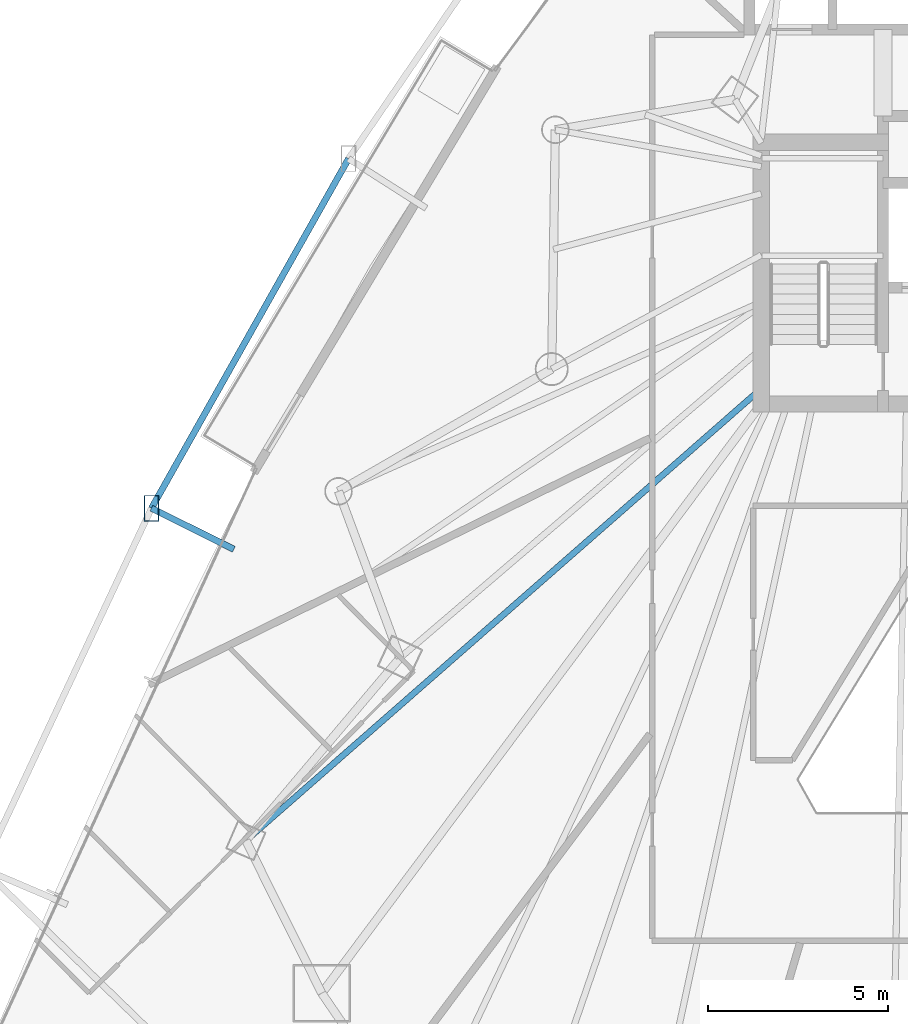
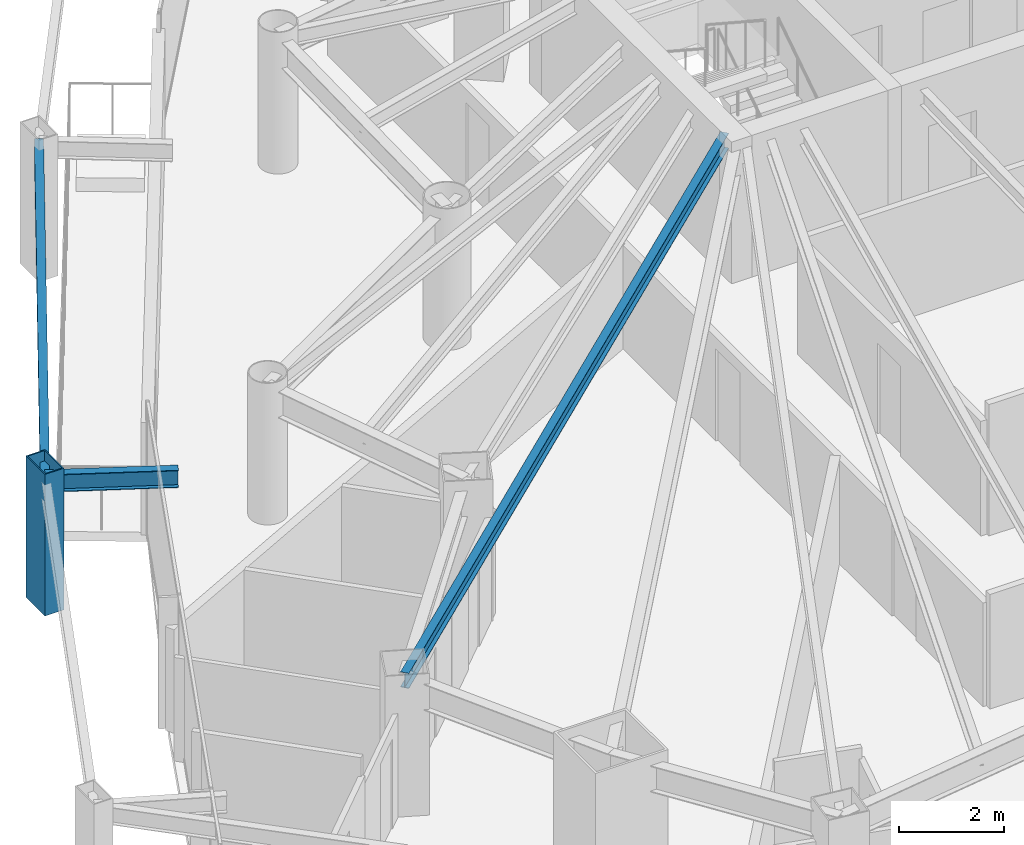
# One storey, part 9 of 35: 3 beams, 1 member.
"""IFC4 building model written with IfcOpenShell, lengths in metres."""

import ifcopenshell
import ifcopenshell.guid

model = None  # the IFC model being written
_history = None  # IfcOwnerHistory: only IFC2X3 demands one
_inside = {}  # id of a spatial element -> (the spatial element, [elements in it])
_under = {}  # id of a project, library or spatial element -> (it, [spatial elements below it])
_declared = {}  # id of a project -> (the project, [libraries it declares])
_typed = {}  # id of a type object -> (the type object, [elements of that type])
_made_of = {}  # id of a material, layer set ... -> (it, [elements and type objects made of it])


def new_model(schema):
    """Start an empty IFC model of exactly this schema.

    Asked for "IFC4X3", IfcOpenShell would pick the latest addendum, in which some entities
    have other attributes; the version numbers below select the first issue.
    IFC2X3 requires an IfcOwnerHistory on every rooted entity: one is made here for all.
    """
    global model, _history
    if schema == "IFC4X3":
        model = ifcopenshell.file(schema_version=(4, 3, 0, 0))
    else:
        model = ifcopenshell.file(schema=schema)
    _inside.clear()
    _under.clear()
    _declared.clear()
    _typed.clear()
    _made_of.clear()
    _history = None
    if model.schema == "IFC2X3":
        org = make("IfcOrganization", Name="unknown")
        user = make(
            "IfcPersonAndOrganization",
            ThePerson=make("IfcPerson", FamilyName="unknown"),
            TheOrganization=org,
        )
        app = make(
            "IfcApplication",
            ApplicationDeveloper=org,
            Version="unknown",
            ApplicationFullName="unknown",
            ApplicationIdentifier="unknown",
        )
        _history = make(
            "IfcOwnerHistory",
            OwningUser=user,
            OwningApplication=app,
            ChangeAction="ADDED",
            CreationDate=0,
        )
    return model


def make(cls, **values):
    """One entity of the class cls with the attributes given. An attribute that is None is left unset."""
    return model.create_entity(
        cls, **{name: value for name, value in values.items() if value is not None}
    )


def rooted(cls, **values):
    """An entity with a GlobalId (a new one), such as an element, a storey or a relation."""
    return make(cls, GlobalId=ifcopenshell.guid.new(), OwnerHistory=_history, **values)


def si_unit(unit_type, name, prefix=None):
    """IfcSIUnit, for example si_unit("LENGTHUNIT", "METRE", prefix="MILLI")."""
    return make("IfcSIUnit", UnitType=unit_type, Prefix=prefix, Name=name)


def assignment(units):
    """IfcUnitAssignment: the units of a project."""
    return None if units is None else make("IfcUnitAssignment", Units=units)


def point(xyz):
    """IfcCartesianPoint."""
    return None if xyz is None else make("IfcCartesianPoint", Coordinates=xyz)


def direction(xyz):
    """IfcDirection."""
    return None if xyz is None else make("IfcDirection", DirectionRatios=xyz)


def frame(location, z_axis=None, x_axis=None):
    """IfcAxis2Placement3D, a coordinate frame: its origin and axes. An axis left out is left unset."""
    return make(
        "IfcAxis2Placement3D",
        Location=point(location),
        Axis=direction(z_axis),
        RefDirection=direction(x_axis),
    )


def frame_2d(location, x_axis=None):
    """IfcAxis2Placement2D, a coordinate frame in the plane: its origin and x axis."""
    return make(
        "IfcAxis2Placement2D", Location=point(location), RefDirection=direction(x_axis)
    )


def origin():
    """The frame at (0, 0, 0) with its axes left unset."""
    return frame((0.0, 0.0, 0.0))


def origin_2d():
    """The frame at (0, 0) in the plane with its x axis left unset."""
    return frame_2d((0.0, 0.0))


def place(relative_to, where):
    """IfcLocalPlacement: puts the frame where relative to a parent placement (None: the world)."""
    return make(
        "IfcLocalPlacement", PlacementRelTo=relative_to, RelativePlacement=where
    )


def context(
    kind, dimensions, precision=None, world=None, true_north=None, identifier=None
):
    """IfcGeometricRepresentationContext, for example the 3D "Model" context."""
    return make(
        "IfcGeometricRepresentationContext",
        ContextIdentifier=identifier,
        ContextType=kind,
        CoordinateSpaceDimension=dimensions,
        Precision=precision,
        WorldCoordinateSystem=world,
        TrueNorth=true_north,
    )


def subcontext(parent, identifier, kind, view, scale=None):
    """IfcGeometricRepresentationSubContext, for example "Body" below "Model"."""
    return make(
        "IfcGeometricRepresentationSubContext",
        ContextIdentifier=identifier,
        ContextType=kind,
        ParentContext=parent,
        TargetScale=scale,
        TargetView=view,
    )


def project(units=None, contexts=None):
    """IfcProject with its units and contexts."""
    return rooted(
        "IfcProject",
        Name="project",
        RepresentationContexts=contexts,
        UnitsInContext=assignment(units),
    )


def spatial(cls, under=None, at=None, **own):
    """A site, building, storey or space (cls), placed at a placement, below another one or the project."""
    s = rooted(cls, ObjectPlacement=at, **own)
    if under is not None:
        _under.setdefault(under.id(), (under, []))[1].append(s)
    return s


def profile(cls, at=None, kind="AREA", **sizes):
    """A parametric profile (cls). Its sizes go by their IFC names, for example OverallWidth=200.0."""
    return make(cls, ProfileType=kind, Position=at, **sizes)


def hollow_rectangle(**sizes):
    """IfcRectangleHollowProfileDef."""
    return profile("IfcRectangleHollowProfileDef", **sizes)


def i_section(**sizes):
    """IfcIShapeProfileDef."""
    return profile("IfcIShapeProfileDef", **sizes)


def extrude(swept, where, along, depth):
    """IfcExtrudedAreaSolid: the profile swept, set in the frame where, extruded along a direction by depth."""
    return make(
        "IfcExtrudedAreaSolid",
        SweptArea=swept,
        Position=where,
        ExtrudedDirection=direction(along),
        Depth=depth,
    )


def shape(context_of_items, identifier, shape_type, items):
    """IfcShapeRepresentation: the items that make up one representation, for example the "Body"."""
    return make(
        "IfcShapeRepresentation",
        ContextOfItems=context_of_items,
        RepresentationIdentifier=identifier,
        RepresentationType=shape_type,
        Items=items,
    )


def material(Name=None, Category=None):
    """IfcMaterial."""
    return make("IfcMaterial", Name=Name, Category=Category)


def material_profile(
    of_material, cross_section, Name=None, Category=None, Priority=None
):
    """IfcMaterialProfile: a cross section and its material."""
    return make(
        "IfcMaterialProfile",
        Name=Name,
        Material=of_material,
        Profile=cross_section,
        Priority=Priority,
        Category=Category,
    )


def profile_set(profiles, Name=None, composite=None):
    """IfcMaterialProfileSet."""
    return make(
        "IfcMaterialProfileSet",
        Name=Name,
        MaterialProfiles=profiles,
        CompositeProfile=composite,
    )


def made_of(thing, what):
    """Note that an element or type object is made of a material, layer set ...; save() writes the relation."""
    if what is not None:
        _made_of.setdefault(what.id(), (what, []))[1].append(thing)
    return thing


def type_object(cls, material=None, **own):
    """A type object (cls), such as IfcWallType, which elements share."""
    return made_of(rooted(cls, **own), material)


def element(
    cls,
    number,
    at=None,
    inside=None,
    cuts=None,
    type_object=None,
    material=None,
    context=None,
    identifier="Body",
    shape_type=None,
    held_by="IfcProductDefinitionShape",
    body=None,
    shapes=None,
    **own,
):
    """One element of the class cls, such as IfcWall. Its Tag is "e" and its number.

    at: its placement. inside: the storey or other place that contains it. cuts: it is an
    opening in that element (IfcRelVoidsElement). A single representation is given by context,
    identifier, shape_type and body (its items); several are given by shapes. held_by: the class
    of the entity that holds the representations. save() writes the other relations.
    """
    e = rooted(cls, Tag="e%d" % number, ObjectPlacement=at, **own)
    if body is not None:
        shapes = [shape(context, identifier, shape_type, body)]
    if shapes is not None:
        e.Representation = make(held_by, Representations=shapes)
    if inside is not None:
        _inside.setdefault(inside.id(), (inside, []))[1].append(e)
    if cuts is not None:
        rooted(
            "IfcRelVoidsElement", RelatingBuildingElement=cuts, RelatedOpeningElement=e
        )
    if type_object is not None:
        _typed.setdefault(type_object.id(), (type_object, []))[1].append(e)
    return made_of(e, material)


def aggregate(whole, parts):
    """IfcRelAggregates: a whole, such as a stair, and the parts it consists of."""
    return rooted("IfcRelAggregates", RelatingObject=whole, RelatedObjects=parts)


def save(model, path):
    """Write the relations noted so far, then the file.

    IfcRelAggregates (storeys below a building ...), IfcRelContainedInSpatialStructure (elements
    in a storey), IfcRelDefinesByType, IfcRelAssociatesMaterial and IfcRelDeclares: one each for
    every whole, place, type object, material and project.
    """
    for whole, parts in _under.values():
        aggregate(whole, parts)
    for where, things in _inside.values():
        rooted(
            "IfcRelContainedInSpatialStructure",
            RelatedElements=things,
            RelatingStructure=where,
        )
    for kind, things in _typed.values():
        rooted("IfcRelDefinesByType", RelatedObjects=things, RelatingType=kind)
    for what, things in _made_of.values():
        rooted("IfcRelAssociatesMaterial", RelatedObjects=things, RelatingMaterial=what)
    for by, libraries in _declared.values():
        rooted("IfcRelDeclares", RelatingContext=by, RelatedDefinitions=libraries)
    model.write(path)


model = new_model("IFC4")

# Units and contexts
model_context = context("Model", 3, precision=1e-05, world=origin(), true_north=direction((0.0, 1.0)))
body_context = subcontext(model_context, "Body", "Model", "MODEL_VIEW")
ifc_project = project(units=[si_unit("LENGTHUNIT", "METRE"), si_unit("AREAUNIT", "SQUARE_METRE"), si_unit("VOLUMEUNIT", "CUBIC_METRE"), si_unit("PLANEANGLEUNIT", "RADIAN"), si_unit("MASSUNIT", "GRAM", prefix="KILO")], contexts=[model_context])

# Site, building, storey
site_placement = place(None, origin())
site = spatial("IfcSite", under=ifc_project, at=site_placement, CompositionType="ELEMENT")
building_placement = place(site_placement, origin())
building = spatial("IfcBuilding", under=site, at=building_placement, Name="Orvanel Arch Residences", CompositionType="ELEMENT")
storey_placement = place(building_placement, frame((0.0, 0.0, 36.800048828125)))
storey = spatial("IfcBuildingStorey", under=building, at=storey_placement, Name="L09", CompositionType="ELEMENT", Elevation=36.800048828125)

# Beam
ifc_material_1 = material(Name="Structural steel AS/NZS 3679.1 Grade 300 (300 MPa)", Category="steel")
ifc_material_profile_1 = material_profile(ifc_material_1, i_section(OverallWidth=0.1708984375, OverallDepth=0.35595703125, WebThickness=0.00732421875, FlangeThickness=0.011474609375, at=origin_2d()), Name="360UB50.7")
ifc_profile_set_1 = profile_set([ifc_material_profile_1], Name="Structural steel AS/NZS 3679.1 Grade 300 (300 MPa)")
beam_type_1 = type_object("IfcBeamType", Name="BJ-360UB", PredefinedType="JOIST", material=ifc_profile_set_1)
beam_1_placement = place(storey_placement, frame((26.375, 27.10009765625, 2.8818359375), z_axis=(-0.751924114057, -0.659249669472, 0.0), x_axis=(0.659249669472, -0.751924114057, 0.0)))
element("IfcBeam", 1, at=beam_1_placement, inside=storey, type_object=beam_type_1, Name="L09 MW Wing Floor Joist", PredefinedType="JOIST", context=body_context, shape_type="SweptSolid", body=[
    extrude(i_section(OverallWidth=0.1708984375, OverallDepth=0.35595703125, WebThickness=0.00732421875, FlangeThickness=0.011474609375, at=origin_2d()), origin(), (0.0, 0.0, 1.0), 18.9912109375),
])

# Member
ifc_material_2 = material(Name="Structural steel AS/NZS 3678 Grade 350", Category="steel")
ifc_material_profile_2 = material_profile(ifc_material_2, hollow_rectangle(XDim=0.419921875, YDim=0.719970703125, WallThickness=0.02490234375, at=origin_2d()), Name="RHS720x420x25")
ifc_profile_set_2 = profile_set([ifc_material_profile_2], Name="Structural steel AS/NZS 3678 Grade 350")
member_type = type_object("IfcMemberType", Name="CH-720RHS-EXT", PredefinedType="CHORD", material=ifc_profile_set_2)
member_placement = place(storey_placement, frame((9.47998046875, 23.785888671875, 0.0), z_axis=(0.0, 0.0, 1.0), x_axis=(1.0, 0.0, 0.0)))
element("IfcMember", 2, at=member_placement, inside=storey, type_object=member_type, Name="L09 Outer Perimeter Frame Post 03", PredefinedType="CHORD", context=body_context, shape_type="SweptSolid", body=[
    extrude(hollow_rectangle(XDim=0.419921875, YDim=0.719970703125, WallThickness=0.02490234375, at=origin_2d()), origin(), (0.0, 0.0, 1.0), 3.300048828125),
])

# Beams
ifc_material_profile_3 = material_profile(ifc_material_1, i_section(OverallWidth=0.177978515625, OverallDepth=0.406005859375, WebThickness=0.0078125, FlangeThickness=0.0126953125, at=origin_2d()), Name="410UB59.7")
ifc_profile_set_3 = profile_set([ifc_material_profile_3], Name="Structural steel AS/NZS 3679.1 Grade 300 (300 MPa)")
beam_type_2 = type_object("IfcBeamType", Name="OB-410UB-EXT", PredefinedType="SPANDREL", material=ifc_profile_set_3)
beam_2_placement = place(storey_placement, frame((14.93994140625, 33.469970703125, 2.85693359375), z_axis=(-0.491126388143, -0.871088325527, 0.0), x_axis=(0.871088325527, -0.491126388143, 0.0)))
element("IfcBeam", 3, at=beam_2_placement, inside=storey, type_object=beam_type_2, Name="L09 Outer Perimeter Floor Ring Beam 02", PredefinedType="SPANDREL", context=body_context, shape_type="SweptSolid", body=[
    extrude(i_section(OverallWidth=0.177978515625, OverallDepth=0.406005859375, WebThickness=0.0078125, FlangeThickness=0.0126953125, at=origin_2d()), origin(), (0.0, 0.0, 1.0), 11.1171875),
])
beam_3_placement = place(storey_placement, frame((11.761962890625, 22.64892578125, 2.85693359375), z_axis=(-0.895058306483, 0.445949131624, 0.0), x_axis=(-0.445949131624, -0.895058306483, 0.0)))
element("IfcBeam", 4, at=beam_3_placement, inside=storey, type_object=beam_type_2, Name="L09 Outer Frame Radial Tie Beam 03", PredefinedType="SPANDREL", context=body_context, shape_type="SweptSolid", body=[
    extrude(i_section(OverallWidth=0.177978515625, OverallDepth=0.406005859375, WebThickness=0.0078125, FlangeThickness=0.0126953125, at=origin_2d()), origin(), (0.0, 0.0, 1.0), 2.549560546875),
])

save(model, "model.ifc")
